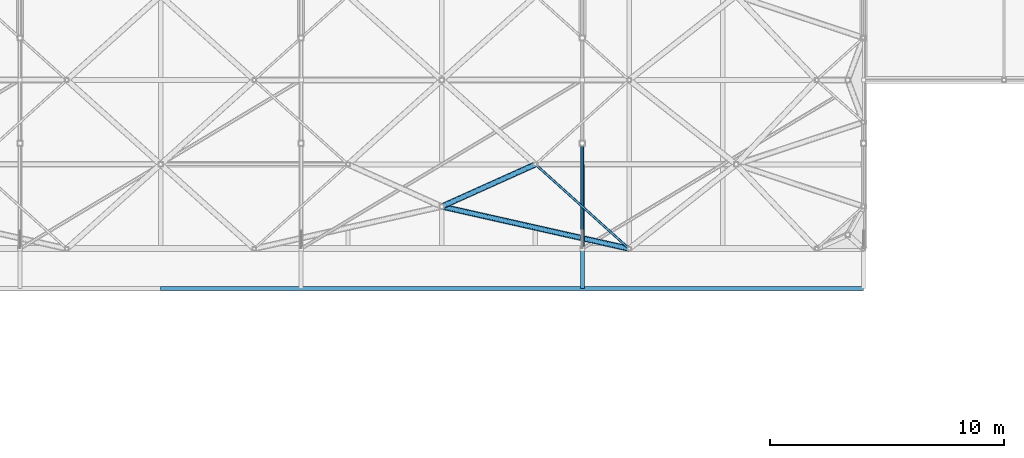
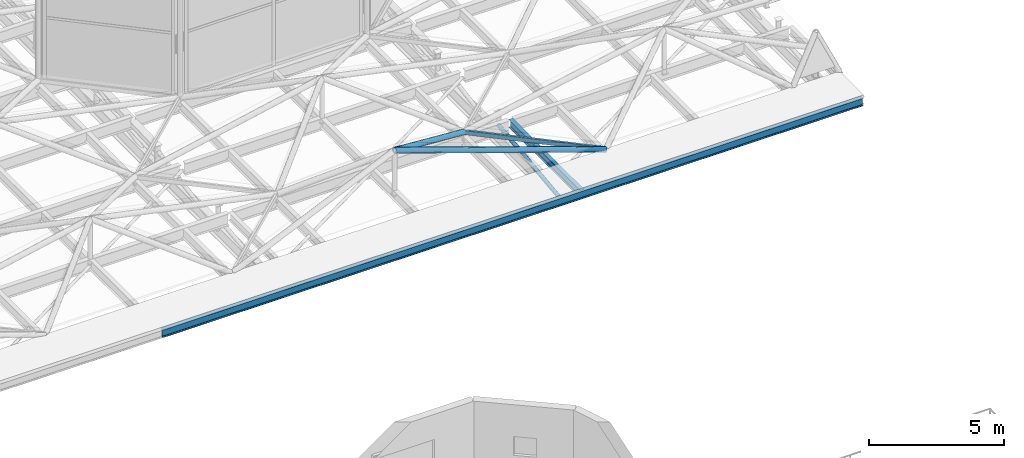
# One storey, part 40 of 239: 3 beams, 3 members.
"""IFC4 building model written with IfcOpenShell, lengths in metres."""

from ifc_helpers import new_model, si_unit, direction, frame, origin, origin_2d, place, context, subcontext, project, spatial, hollow_rectangle, hollow_circle, i_section, extrude, material, material_profile, profile_set, type_object, element, save


model = new_model("IFC4")

# Units and contexts
model_context = context("Model", 3, precision=1e-05, world=origin(), true_north=direction((0.0, 1.0)))
body_context = subcontext(model_context, "Body", "Model", "MODEL_VIEW")
ifc_project = project(units=[si_unit("LENGTHUNIT", "METRE"), si_unit("AREAUNIT", "SQUARE_METRE"), si_unit("VOLUMEUNIT", "CUBIC_METRE"), si_unit("PLANEANGLEUNIT", "RADIAN"), si_unit("MASSUNIT", "GRAM", prefix="KILO")], contexts=[model_context])

# Site, building, storey
site_placement = place(None, origin())
site = spatial("IfcSite", under=ifc_project, at=site_placement, CompositionType="ELEMENT")
building_placement = place(site_placement, origin())
building = spatial("IfcBuilding", under=site, at=building_placement, Name="Dunvalen Ferry Terminal", CompositionType="ELEMENT")
storey_placement = place(building_placement, frame((0.0, 0.0, 9.840087890625)))
storey = spatial("IfcBuildingStorey", under=building, at=storey_placement, Name="L02", CompositionType="ELEMENT", Elevation=9.840087890625)

# Beams
ifc_material = material(Name="Steel S355", Category="steel")
ifc_material_profile_1 = material_profile(ifc_material, i_section(OverallWidth=0.169921875, OverallDepth=0.360107421875, WebThickness=0.008056640625, FlangeThickness=0.0126953125, FilletRadius=0.01806640625, at=origin_2d()), Name="Steel S355")
ifc_profile_set_1 = profile_set([ifc_material_profile_1], Name="Steel S355")
beam_type_1 = type_object("IfcBeamType", Name="STR-BM-IPE360", PredefinedType="BEAM", material=ifc_profile_set_1)
beam_1_placement = place(storey_placement, frame((84.0, 54.0, 0.81982421875), z_axis=(0.0, -1.0, 0.0), x_axis=(1.0, 0.0, 0.0)))
element("IfcBeam", 1, at=beam_1_placement, inside=storey, type_object=beam_type_1, Name="Departure Hall South Eave Outrigger 13", PredefinedType="BEAM", context=body_context, shape_type="SweptSolid", body=[
    extrude(i_section(OverallWidth=0.169921875, OverallDepth=0.360107421875, WebThickness=0.008056640625, FlangeThickness=0.0126953125, FilletRadius=0.01806640625, at=origin_2d()), origin(), (0.0, 0.0, 1.0), 5.300048828125),
])
ifc_material_profile_2 = material_profile(ifc_material, hollow_rectangle(XDim=0.10009765625, YDim=0.199951171875, WallThickness=0.008056640625, InnerFilletRadius=0.008056640625, OuterFilletRadius=0.01611328125, at=origin_2d()), Name="Steel S355")
ifc_profile_set_2 = profile_set([ifc_material_profile_2], Name="Steel S355")
beam_type_2 = type_object("IfcBeamType", Name="STR-BM-RHS200", PredefinedType="BEAM", material=ifc_profile_set_2)
beam_2_placement = place(storey_placement, frame((86.0, 50.39990234375, 1.099853515625), z_axis=(-0.743285123004, 0.668974757313, 0.0), x_axis=(-0.668974757313, -0.743285123004, 0.0)))
element("IfcBeam", 2, at=beam_2_placement, inside=storey, type_object=beam_type_2, Name="HEX-34 Hexagonal Rim Beam 2", PredefinedType="BEAM", context=body_context, shape_type="SweptSolid", body=[
    extrude(hollow_rectangle(XDim=0.10009765625, YDim=0.199951171875, WallThickness=0.008056640625, InnerFilletRadius=0.008056640625, OuterFilletRadius=0.01611328125, at=origin_2d()), origin(), (0.0, 0.0, 1.0), 5.381591796875),
])
ifc_material_profile_3 = material_profile(ifc_material, i_section(OverallWidth=0.17138671875, OverallDepth=0.35498046875, WebThickness=0.00732421875, FlangeThickness=0.011474609375, FilletRadius=0.01025390625, at=origin_2d()), Name="Steel S355")
ifc_profile_set_3 = profile_set([ifc_material_profile_3], Name="Steel S355")
beam_type_3 = type_object("IfcBeamType", Name="STR-BM-UKB356", PredefinedType="JOIST", material=ifc_profile_set_3)
beam_3_placement = place(storey_placement, frame((66.0, 48.699951171875, 0.81982421875), z_axis=(1.0, 0.0, 0.0), x_axis=(0.0, 1.0, 0.0)))
element("IfcBeam", 3, at=beam_3_placement, inside=storey, type_object=beam_type_3, Name="Departure Hall South Eave East Fascia Beam", PredefinedType="JOIST", context=body_context, shape_type="SweptSolid", body=[
    extrude(i_section(OverallWidth=0.17138671875, OverallDepth=0.35498046875, WebThickness=0.00732421875, FlangeThickness=0.011474609375, FilletRadius=0.01025390625, at=origin_2d()), origin(), (0.0, 0.0, 1.0), 30.0),
])

# Members
ifc_material_profile_4 = material_profile(ifc_material, hollow_circle(Radius=0.084228515625, WallThickness=0.008056640625, at=origin_2d()), Name="Steel S355")
ifc_profile_set_4 = profile_set([ifc_material_profile_4], Name="Steel S355")
member_type_1 = type_object("IfcMemberType", Name="STR-MB-CHS168", PredefinedType="BRACE", material=ifc_profile_set_4)
member_1_placement = place(storey_placement, frame((84.0, 50.39990234375, -0.360107421875), z_axis=(0.0, 0.993166043245, 0.116709941931), x_axis=(-1.0, 0.0, 0.0)))
element("IfcMember", 4, at=member_1_placement, inside=storey, type_object=member_type_1, Name="Departure Hall Arch Web Diagonal 07.1", PredefinedType="BRACE", context=body_context, shape_type="SweptSolid", body=[
    extrude(hollow_circle(Radius=0.084228515625, WallThickness=0.008056640625, at=origin_2d()), origin(), (0.0, 0.0, 1.0), 4.531005859375),
])
ifc_material_profile_5 = material_profile(ifc_material, hollow_circle(Radius=0.122314453125, WallThickness=0.010009765625, at=origin_2d()), Name="Steel S355")
ifc_profile_set_5 = profile_set([ifc_material_profile_5], Name="Steel S355")
member_type_2 = type_object("IfcMemberType", Name="STR-MB-CHS244", PredefinedType="STRUT", material=ifc_profile_set_5)
member_2_placement = place(storey_placement, frame((86.0, 50.39990234375, 1.099853515625), z_axis=(-0.956097314692, 0.215127731361, 0.198992422064), x_axis=(-0.219517862832, -0.975608480846, 0.0)))
element("IfcMember", 5, at=member_2_placement, inside=storey, type_object=member_type_2, Name="HEX-34 Pyramid Hip Rafter 2", PredefinedType="STRUT", context=body_context, shape_type="SweptSolid", body=[
    extrude(hollow_circle(Radius=0.122314453125, WallThickness=0.010009765625, at=origin_2d()), origin(), (0.0, 0.0, 1.0), 8.367431640625),
])
member_3_placement = place(storey_placement, frame((82.0, 54.0, 1.099853515625), z_axis=(-0.852560097395, -0.383662451056, 0.354886466323), x_axis=(0.410373934525, -0.91191733938, 0.0)))
element("IfcMember", 6, at=member_3_placement, inside=storey, type_object=member_type_2, Name="HEX-34 Pyramid Hip Rafter 3", PredefinedType="STRUT", context=body_context, shape_type="SweptSolid", body=[
    extrude(hollow_circle(Radius=0.122314453125, WallThickness=0.010009765625, at=origin_2d()), origin(), (0.0, 0.0, 1.0), 4.691650390625),
])

save(model, "model.ifc")
